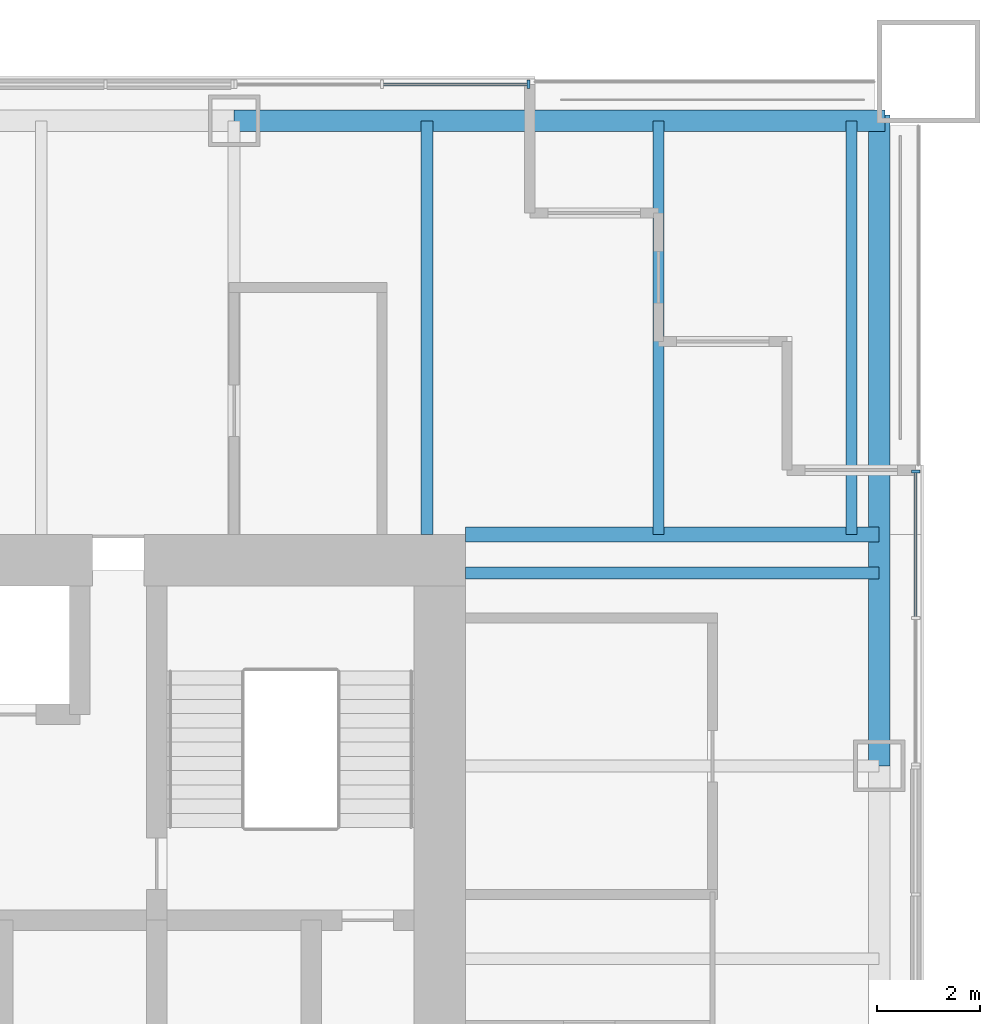
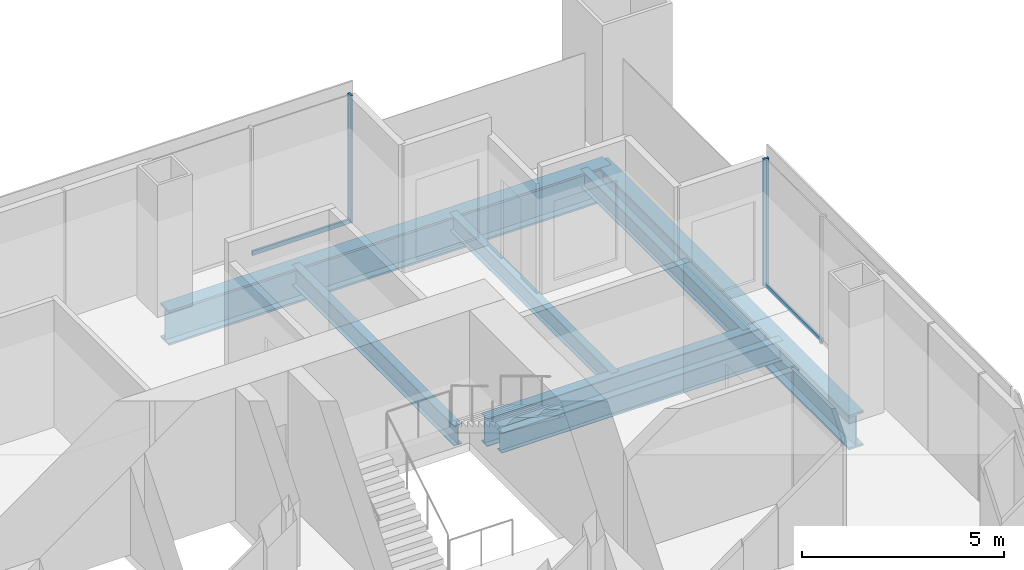
# One storey, part 7 of 14: 7 beams, 4 members, 2 elements without a shape of their own.
"""IFC4 building model written with IfcOpenShell, lengths in metres."""

from ifc_helpers import new_model, si_unit, direction, frame, origin, origin_2d, place, context, subcontext, project, spatial, rectangle, i_section, extrude, material, material_profile, profile_set, type_object, element, aggregate, save


model = new_model("IFC4")

# Units and contexts
model_context = context("Model", 3, precision=1e-05, world=origin(), true_north=direction((0.0, 1.0)))
body_context = subcontext(model_context, "Body", "Model", "MODEL_VIEW")
ifc_project = project(units=[si_unit("LENGTHUNIT", "METRE"), si_unit("AREAUNIT", "SQUARE_METRE"), si_unit("VOLUMEUNIT", "CUBIC_METRE"), si_unit("PLANEANGLEUNIT", "RADIAN"), si_unit("MASSUNIT", "GRAM", prefix="KILO")], contexts=[model_context])

# Site, building, storey
site_placement = place(None, origin())
site = spatial("IfcSite", under=ifc_project, at=site_placement, CompositionType="ELEMENT")
building_placement = place(site_placement, origin())
building = spatial("IfcBuilding", under=site, at=building_placement, Name="Tarangal Relay Tower", CompositionType="ELEMENT")
storey_placement = place(building_placement, frame((0.0, 0.0, 311.89990234375)))
storey = spatial("IfcBuildingStorey", under=building, at=storey_placement, Name="L69", CompositionType="ELEMENT", Elevation=311.89990234375)

# Beams
ifc_material_1 = material(Name="Steel ASTM A992", Category="steel")
ifc_material_profile_1 = material_profile(ifc_material_1, i_section(OverallWidth=0.209228515625, OverallDepth=0.533447265625, WebThickness=0.01025390625, FlangeThickness=0.015625, at=origin_2d()), Name="W21X62")
ifc_profile_set_1 = profile_set([ifc_material_profile_1], Name="Steel ASTM A992")
beam_type_1 = type_object("IfcBeamType", Name="Corner beam W21X62", PredefinedType="JOIST", material=ifc_profile_set_1)
for number, where, z_axis, x_axis, name in (
    (1, (15.75, 12.0, -0.41650390625), (0.0, 1.0, 0.0), (-1.0, 0.0, 0.0), "Corner beam CB12 N L69"),
    (2, (19.5, 12.0, -0.41650390625), (0.0, 1.0, 0.0), (-1.0, 0.0, 0.0), "Corner beam CB12 N L69"),
):
    element("IfcBeam", number, at=place(storey_placement, frame(where, z_axis=z_axis, x_axis=x_axis)), inside=storey, type_object=beam_type_1, Name=name, PredefinedType="JOIST", context=body_context, shape_type="SweptSolid", body=[
        extrude(i_section(OverallWidth=0.209228515625, OverallDepth=0.533447265625, WebThickness=0.01025390625, FlangeThickness=0.015625, at=origin_2d()), origin(), (0.0, 0.0, 1.0), 8.0400390625),
    ])
ifc_material_profile_2 = material_profile(ifc_material_1, i_section(OverallWidth=0.2919921875, OverallDepth=0.8408203125, WebThickness=0.0146484375, FlangeThickness=0.021728515625, at=origin_2d()), Name="W33X130")
ifc_profile_set_2 = profile_set([ifc_material_profile_2], Name="Steel ASTM A992")
beam_type_2 = type_object("IfcBeamType", Name="Corner girder W33X130", PredefinedType="BEAM", material=ifc_profile_set_2)
beam_placement = place(storey_placement, frame((12.0, 12.0, -0.5703125), z_axis=(1.0, 0.0, 0.0), x_axis=(0.0, 1.0, 0.0)))
element("IfcBeam", 3, at=beam_placement, inside=storey, type_object=beam_type_2, Name="Corner girder CG5 N L69", PredefinedType="BEAM", context=body_context, shape_type="SweptSolid", body=[
    extrude(i_section(OverallWidth=0.2919921875, OverallDepth=0.8408203125, WebThickness=0.0146484375, FlangeThickness=0.021728515625, at=origin_2d()), origin(), (0.0, 0.0, 1.0), 8.0400390625),
])
ifc_material_profile_3 = material_profile(ifc_material_1, i_section(OverallWidth=0.41162109375, OverallDepth=1.049072265625, WebThickness=0.033935546875, FlangeThickness=0.059814453125, at=origin_2d()), Name="W40X431")
ifc_profile_set_3 = profile_set([ifc_material_profile_3], Name="Steel ASTM A992")
beam_type_3 = type_object("IfcBeamType", Name="Edge girder W40X431", PredefinedType="SPANDREL", material=ifc_profile_set_3)
for number, where, z_axis, x_axis, name in (
    (4, (7.5, 20.0400390625, -0.67431640625), (1.0, 0.0, 0.0), (0.0, 1.0, 0.0), "Edge girder EG1 N L69"),
    (5, (20.0400390625, 20.14990234375, -0.67431640625), (0.0, -1.0, 0.0), (1.0, 0.0, 0.0), "Edge girder EG1 E L69"),
):
    element("IfcBeam", number, at=place(storey_placement, frame(where, z_axis=z_axis, x_axis=x_axis)), inside=storey, type_object=beam_type_3, Name=name, PredefinedType="SPANDREL", context=body_context, shape_type="SweptSolid", body=[
        extrude(i_section(OverallWidth=0.41162109375, OverallDepth=1.049072265625, WebThickness=0.033935546875, FlangeThickness=0.059814453125, at=origin_2d()), origin(), (0.0, 0.0, 1.0), 12.64990234375),
    ])
ifc_material_profile_4 = material_profile(ifc_material_1, i_section(OverallWidth=0.228271484375, OverallDepth=0.607177734375, WebThickness=0.01123046875, FlangeThickness=0.017333984375, at=origin_2d()), Name="W24X76")
ifc_profile_set_4 = profile_set([ifc_material_profile_4], Name="Steel ASTM A992")
beam_type_4 = type_object("IfcBeamType", Name="Floor beam W24X76", PredefinedType="BEAM", material=ifc_profile_set_4)
for number, where, z_axis, x_axis, name in (
    (6, (11.25, 12.0, -0.453369140625), (0.0, 1.0, 0.0), (-1.0, 0.0, 0.0), "Floor beam RB5 N L69"),
    (7, (12.0, 11.25, -0.453369140625), (1.0, 0.0, 0.0), (0.0, 1.0, 0.0), "Floor beam RB5 E L69"),
):
    element("IfcBeam", number, at=place(storey_placement, frame(where, z_axis=z_axis, x_axis=x_axis)), inside=storey, type_object=beam_type_4, Name=name, PredefinedType="BEAM", context=body_context, shape_type="SweptSolid", body=[
        extrude(i_section(OverallWidth=0.228271484375, OverallDepth=0.607177734375, WebThickness=0.01123046875, FlangeThickness=0.017333984375, at=origin_2d()), origin(), (0.0, 0.0, 1.0), 8.0400390625),
    ])

# Curtain wall, member
ifc_material_2 = material(Name="Unitised curtain wall, dark glass and black aluminium", Category="aluminium")
curtain_wall_type = type_object("IfcCurtainWallType", Name="Curtain wall CW-B", PredefinedType="USERDEFINED", material=ifc_material_2)
curtain_wall_1_placement = place(storey_placement, origin())
curtain_wall_1 = element("IfcCurtainWall", 8, at=curtain_wall_1_placement, inside=storey, type_object=curtain_wall_type, Name="Curtain wall CW-B N facade L69", ObjectType="UNITISED CURTAIN WALL", PredefinedType="USERDEFINED")
ifc_material_3 = material(Name="Black anodised aluminium mullion", Category="aluminium")
ifc_material_profile_5 = material_profile(ifc_material_3, rectangle(XDim=0.159912109375, YDim=0.06005859375, at=origin_2d()), Name="CW-BM 60X160")
ifc_profile_set_5 = profile_set([ifc_material_profile_5], Name="Black anodised aluminium mullion")
member_type_1 = type_object("IfcMemberType", Name="Mullion CW-B 60 x 160", PredefinedType="MULLION", material=ifc_profile_set_5)
member_1_placement = place(storey_placement, frame((13.219970703125, 20.75, 0.0), z_axis=(0.0, 0.0, 1.0), x_axis=(0.0, 1.0, 0.0)))
member_1 = element("IfcMember", 9, at=member_1_placement, type_object=member_type_1, Name="CW-B mullion 3", PredefinedType="MULLION", context=body_context, shape_type="SweptSolid", body=[
    extrude(rectangle(XDim=0.159912109375, YDim=0.06005859375, at=origin_2d()), origin(), (0.0, 0.0, 1.0), 3.85009765625),
])

curtain_wall_2_placement = place(storey_placement, origin())
curtain_wall_2 = element("IfcCurtainWall", 10, at=curtain_wall_2_placement, inside=storey, type_object=curtain_wall_type, Name="Curtain wall CW-B E facade L69", ObjectType="UNITISED CURTAIN WALL", PredefinedType="USERDEFINED")
member_2_placement = place(storey_placement, frame((20.75, 13.219970703125, 0.0), z_axis=(0.0, 0.0, 1.0), x_axis=(1.0, 0.0, 0.0)))
member_2 = element("IfcMember", 11, at=member_2_placement, type_object=member_type_1, Name="CW-B mullion 1", PredefinedType="MULLION", context=body_context, shape_type="SweptSolid", body=[
    extrude(rectangle(XDim=0.159912109375, YDim=0.06005859375, at=origin_2d()), origin(), (0.0, 0.0, 1.0), 3.85009765625),
])

# Member
ifc_material_4 = material(Name="Black anodised aluminium transom", Category="aluminium")
ifc_material_profile_6 = material_profile(ifc_material_4, rectangle(XDim=0.06005859375, YDim=0.1298828125, at=origin_2d()), Name="CW-BT 60X130")
ifc_profile_set_6 = profile_set([ifc_material_profile_6], Name="Black anodised aluminium transom")
member_type_2 = type_object("IfcMemberType", Name="Transom CW-B 60 x 130", PredefinedType="USERDEFINED", material=ifc_profile_set_6)
member_3_placement = place(storey_placement, frame((10.405029296875, 20.75, 0.030029296875), z_axis=(1.0, 0.0, 0.0), x_axis=(0.0, 1.0, 0.0)))
member_3 = element("IfcMember", 12, at=member_3_placement, type_object=member_type_2, Name="CW-B transom 2.1", ObjectType="TRANSOM", PredefinedType="USERDEFINED", context=body_context, shape_type="SweptSolid", body=[
    extrude(rectangle(XDim=0.06005859375, YDim=0.1298828125, at=origin_2d()), origin(), (0.0, 0.0, 1.0), 2.784912109375),
])

aggregate(curtain_wall_1, [member_1, member_3])

member_4_placement = place(storey_placement, frame((20.75, 13.18994140625, 0.030029296875), z_axis=(0.0, -1.0, 0.0), x_axis=(1.0, 0.0, 0.0)))
member_4 = element("IfcMember", 13, at=member_4_placement, type_object=member_type_2, Name="CW-B transom 1.1", ObjectType="TRANSOM", PredefinedType="USERDEFINED", context=body_context, shape_type="SweptSolid", body=[
    extrude(rectangle(XDim=0.06005859375, YDim=0.1298828125, at=origin_2d()), origin(), (0.0, 0.0, 1.0), 2.784912109375),
])

aggregate(curtain_wall_2, [member_2, member_4])

save(model, "model.ifc")
